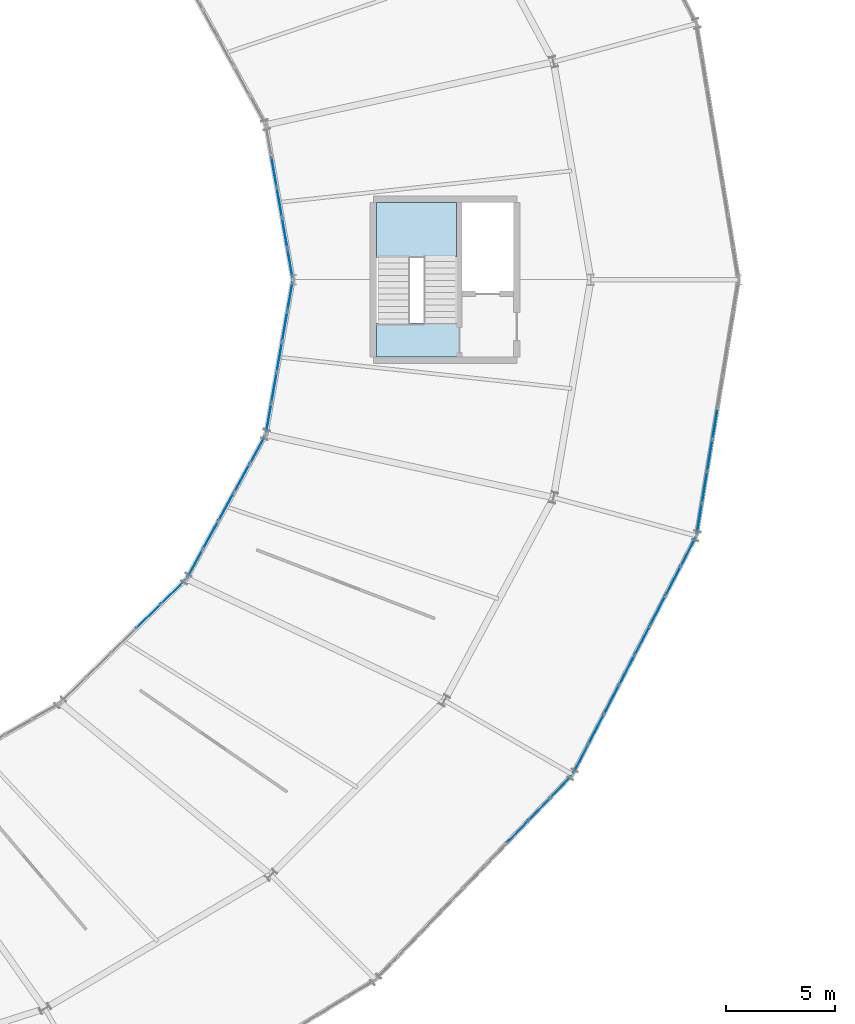
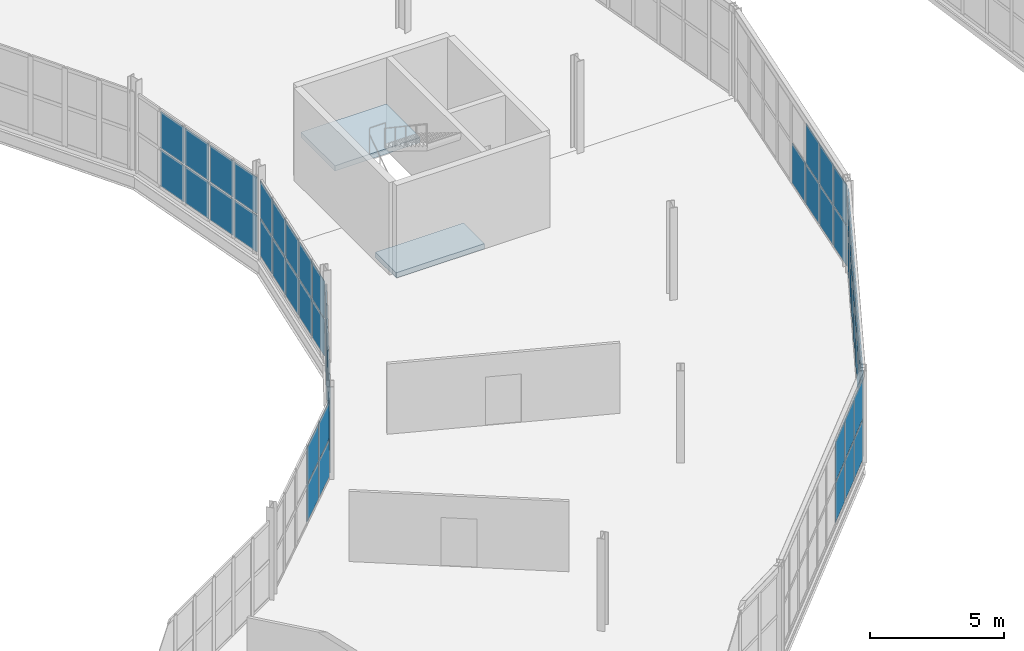
# One storey, part 121 of 161: 61 plates, 2 slabs, 8 elements without a shape of their own.
"""IFC4 building model written with IfcOpenShell, lengths in metres."""

import ifcopenshell
import ifcopenshell.guid

model = None  # the IFC model being written
_history = None  # IfcOwnerHistory: only IFC2X3 demands one
_inside = {}  # id of a spatial element -> (the spatial element, [elements in it])
_under = {}  # id of a project, library or spatial element -> (it, [spatial elements below it])
_declared = {}  # id of a project -> (the project, [libraries it declares])
_typed = {}  # id of a type object -> (the type object, [elements of that type])
_made_of = {}  # id of a material, layer set ... -> (it, [elements and type objects made of it])


def new_model(schema):
    """Start an empty IFC model of exactly this schema.

    Asked for "IFC4X3", IfcOpenShell would pick the latest addendum, in which some entities
    have other attributes; the version numbers below select the first issue.
    IFC2X3 requires an IfcOwnerHistory on every rooted entity: one is made here for all.
    """
    global model, _history
    if schema == "IFC4X3":
        model = ifcopenshell.file(schema_version=(4, 3, 0, 0))
    else:
        model = ifcopenshell.file(schema=schema)
    _inside.clear()
    _under.clear()
    _declared.clear()
    _typed.clear()
    _made_of.clear()
    _history = None
    if model.schema == "IFC2X3":
        org = make("IfcOrganization", Name="unknown")
        user = make(
            "IfcPersonAndOrganization",
            ThePerson=make("IfcPerson", FamilyName="unknown"),
            TheOrganization=org,
        )
        app = make(
            "IfcApplication",
            ApplicationDeveloper=org,
            Version="unknown",
            ApplicationFullName="unknown",
            ApplicationIdentifier="unknown",
        )
        _history = make(
            "IfcOwnerHistory",
            OwningUser=user,
            OwningApplication=app,
            ChangeAction="ADDED",
            CreationDate=0,
        )
    return model


def make(cls, **values):
    """One entity of the class cls with the attributes given. An attribute that is None is left unset."""
    return model.create_entity(
        cls, **{name: value for name, value in values.items() if value is not None}
    )


def rooted(cls, **values):
    """An entity with a GlobalId (a new one), such as an element, a storey or a relation."""
    return make(cls, GlobalId=ifcopenshell.guid.new(), OwnerHistory=_history, **values)


def si_unit(unit_type, name, prefix=None):
    """IfcSIUnit, for example si_unit("LENGTHUNIT", "METRE", prefix="MILLI")."""
    return make("IfcSIUnit", UnitType=unit_type, Prefix=prefix, Name=name)


def assignment(units):
    """IfcUnitAssignment: the units of a project."""
    return None if units is None else make("IfcUnitAssignment", Units=units)


def point(xyz):
    """IfcCartesianPoint."""
    return None if xyz is None else make("IfcCartesianPoint", Coordinates=xyz)


def direction(xyz):
    """IfcDirection."""
    return None if xyz is None else make("IfcDirection", DirectionRatios=xyz)


def frame(location, z_axis=None, x_axis=None):
    """IfcAxis2Placement3D, a coordinate frame: its origin and axes. An axis left out is left unset."""
    return make(
        "IfcAxis2Placement3D",
        Location=point(location),
        Axis=direction(z_axis),
        RefDirection=direction(x_axis),
    )


def frame_2d(location, x_axis=None):
    """IfcAxis2Placement2D, a coordinate frame in the plane: its origin and x axis."""
    return make(
        "IfcAxis2Placement2D", Location=point(location), RefDirection=direction(x_axis)
    )


def origin():
    """The frame at (0, 0, 0) with its axes left unset."""
    return frame((0.0, 0.0, 0.0))


def origin_2d():
    """The frame at (0, 0) in the plane with its x axis left unset."""
    return frame_2d((0.0, 0.0))


def place(relative_to, where):
    """IfcLocalPlacement: puts the frame where relative to a parent placement (None: the world)."""
    return make(
        "IfcLocalPlacement", PlacementRelTo=relative_to, RelativePlacement=where
    )


def context(
    kind, dimensions, precision=None, world=None, true_north=None, identifier=None
):
    """IfcGeometricRepresentationContext, for example the 3D "Model" context."""
    return make(
        "IfcGeometricRepresentationContext",
        ContextIdentifier=identifier,
        ContextType=kind,
        CoordinateSpaceDimension=dimensions,
        Precision=precision,
        WorldCoordinateSystem=world,
        TrueNorth=true_north,
    )


def subcontext(parent, identifier, kind, view, scale=None):
    """IfcGeometricRepresentationSubContext, for example "Body" below "Model"."""
    return make(
        "IfcGeometricRepresentationSubContext",
        ContextIdentifier=identifier,
        ContextType=kind,
        ParentContext=parent,
        TargetScale=scale,
        TargetView=view,
    )


def project(units=None, contexts=None):
    """IfcProject with its units and contexts."""
    return rooted(
        "IfcProject",
        Name="project",
        RepresentationContexts=contexts,
        UnitsInContext=assignment(units),
    )


def spatial(cls, under=None, at=None, **own):
    """A site, building, storey or space (cls), placed at a placement, below another one or the project."""
    s = rooted(cls, ObjectPlacement=at, **own)
    if under is not None:
        _under.setdefault(under.id(), (under, []))[1].append(s)
    return s


def polyline(points):
    """IfcPolyline through the points."""
    return make("IfcPolyline", Points=[point(p) for p in points])


def profile(cls, at=None, kind="AREA", **sizes):
    """A parametric profile (cls). Its sizes go by their IFC names, for example OverallWidth=200.0."""
    return make(cls, ProfileType=kind, Position=at, **sizes)


def rectangle(**sizes):
    """IfcRectangleProfileDef."""
    return profile("IfcRectangleProfileDef", **sizes)


def outline(outer, holes=None, kind="AREA"):
    """IfcArbitraryClosedProfileDef: a profile drawn as a closed curve; with holes, ...WithVoids."""
    if holes is None:
        return make("IfcArbitraryClosedProfileDef", ProfileType=kind, OuterCurve=outer)
    return make(
        "IfcArbitraryProfileDefWithVoids",
        ProfileType=kind,
        OuterCurve=outer,
        InnerCurves=holes,
    )


def extrude(swept, where, along, depth):
    """IfcExtrudedAreaSolid: the profile swept, set in the frame where, extruded along a direction by depth."""
    return make(
        "IfcExtrudedAreaSolid",
        SweptArea=swept,
        Position=where,
        ExtrudedDirection=direction(along),
        Depth=depth,
    )


def shape(context_of_items, identifier, shape_type, items):
    """IfcShapeRepresentation: the items that make up one representation, for example the "Body"."""
    return make(
        "IfcShapeRepresentation",
        ContextOfItems=context_of_items,
        RepresentationIdentifier=identifier,
        RepresentationType=shape_type,
        Items=items,
    )


def material(Name=None, Category=None):
    """IfcMaterial."""
    return make("IfcMaterial", Name=Name, Category=Category)


def layer(
    of_material, thickness, ventilated=None, Name=None, Category=None, Priority=None
):
    """IfcMaterialLayer: one layer of a wall or slab, of a material (None: an air gap)."""
    return make(
        "IfcMaterialLayer",
        Material=of_material,
        LayerThickness=thickness,
        IsVentilated=ventilated,
        Name=Name,
        Category=Category,
        Priority=Priority,
    )


def layer_set(layers, Name=None):
    """IfcMaterialLayerSet."""
    return make("IfcMaterialLayerSet", MaterialLayers=layers, LayerSetName=Name)


def made_of(thing, what):
    """Note that an element or type object is made of a material, layer set ...; save() writes the relation."""
    if what is not None:
        _made_of.setdefault(what.id(), (what, []))[1].append(thing)
    return thing


def type_object(cls, material=None, **own):
    """A type object (cls), such as IfcWallType, which elements share."""
    return made_of(rooted(cls, **own), material)


def element(
    cls,
    number,
    at=None,
    inside=None,
    cuts=None,
    type_object=None,
    material=None,
    context=None,
    identifier="Body",
    shape_type=None,
    held_by="IfcProductDefinitionShape",
    body=None,
    shapes=None,
    **own,
):
    """One element of the class cls, such as IfcWall. Its Tag is "e" and its number.

    at: its placement. inside: the storey or other place that contains it. cuts: it is an
    opening in that element (IfcRelVoidsElement). A single representation is given by context,
    identifier, shape_type and body (its items); several are given by shapes. held_by: the class
    of the entity that holds the representations. save() writes the other relations.
    """
    e = rooted(cls, Tag="e%d" % number, ObjectPlacement=at, **own)
    if body is not None:
        shapes = [shape(context, identifier, shape_type, body)]
    if shapes is not None:
        e.Representation = make(held_by, Representations=shapes)
    if inside is not None:
        _inside.setdefault(inside.id(), (inside, []))[1].append(e)
    if cuts is not None:
        rooted(
            "IfcRelVoidsElement", RelatingBuildingElement=cuts, RelatedOpeningElement=e
        )
    if type_object is not None:
        _typed.setdefault(type_object.id(), (type_object, []))[1].append(e)
    return made_of(e, material)


def aggregate(whole, parts):
    """IfcRelAggregates: a whole, such as a stair, and the parts it consists of."""
    return rooted("IfcRelAggregates", RelatingObject=whole, RelatedObjects=parts)


def save(model, path):
    """Write the relations noted so far, then the file.

    IfcRelAggregates (storeys below a building ...), IfcRelContainedInSpatialStructure (elements
    in a storey), IfcRelDefinesByType, IfcRelAssociatesMaterial and IfcRelDeclares: one each for
    every whole, place, type object, material and project.
    """
    for whole, parts in _under.values():
        aggregate(whole, parts)
    for where, things in _inside.values():
        rooted(
            "IfcRelContainedInSpatialStructure",
            RelatedElements=things,
            RelatingStructure=where,
        )
    for kind, things in _typed.values():
        rooted("IfcRelDefinesByType", RelatedObjects=things, RelatingType=kind)
    for what, things in _made_of.values():
        rooted("IfcRelAssociatesMaterial", RelatedObjects=things, RelatingMaterial=what)
    for by, libraries in _declared.values():
        rooted("IfcRelDeclares", RelatingContext=by, RelatedDefinitions=libraries)
    model.write(path)


model = new_model("IFC4")

# Units and contexts
model_context = context("Model", 3, precision=1e-05, world=origin(), true_north=direction((0.0, 1.0)))
body_context = subcontext(model_context, "Body", "Model", "MODEL_VIEW")
ifc_project = project(units=[si_unit("LENGTHUNIT", "METRE"), si_unit("AREAUNIT", "SQUARE_METRE"), si_unit("VOLUMEUNIT", "CUBIC_METRE"), si_unit("PLANEANGLEUNIT", "RADIAN"), si_unit("MASSUNIT", "GRAM", prefix="KILO")], contexts=[model_context])

# Site, building, storey
site_placement = place(None, origin())
site = spatial("IfcSite", under=ifc_project, at=site_placement, CompositionType="ELEMENT")
building_placement = place(site_placement, origin())
building = spatial("IfcBuilding", under=site, at=building_placement, Name="Kildeholm Park Wholesale Market", CompositionType="ELEMENT")
storey_placement = place(building_placement, frame((0.0, 0.0, 5.39990234375)))
storey = spatial("IfcBuildingStorey", under=building, at=storey_placement, Name="L01", CompositionType="ELEMENT", Elevation=5.39990234375)

# Curtain wall, plates
ifc_material_1 = material(Name="Anodised aluminium and low-E double-glazed glass", Category="aluminium")
curtain_wall_type = type_object("IfcCurtainWallType", Name="Market hall glazed arcade stick curtain wall CW-01", PredefinedType="NOTDEFINED", material=ifc_material_1)
curtain_wall_1_placement = place(storey_placement, origin())
curtain_wall_1 = element("IfcCurtainWall", 1, at=curtain_wall_1_placement, inside=storey, type_object=curtain_wall_type, Name="Curtain wall CW-V1-IN1-00 CW-0004", PredefinedType="NOTDEFINED")
ifc_material_2 = material(Name="Double-glazed low-E insulated glass", Category="glass")
ifc_layer_1 = layer(ifc_material_2, 0.028076171875)
ifc_layer_set_1 = layer_set([ifc_layer_1], Name="Double-glazed low-E insulated glass")
plate_type = type_object("IfcPlateType", Name="Curtain-wall panel CWP-1 28 mm", PredefinedType="CURTAIN_PANEL", material=ifc_layer_set_1)
plate_1_placement = place(storey_placement, frame((135.373779296875, 90.262451171875, 0.074951171875), z_axis=(0.0, 0.0, 1.0), x_axis=(-0.172132515628, 0.985073802851, 0.0)))
plate_1 = element("IfcPlate", 2, at=plate_1_placement, type_object=plate_type, Name="CW-01 panel 1.1 PLT-0212", PredefinedType="CURTAIN_PANEL", context=body_context, shape_type="SweptSolid", body=[
    extrude(rectangle(XDim=1.316650390625, YDim=0.028076171875, at=origin_2d()), origin(), (0.0, 0.0, 1.0), 1.66259765625),
])
plate_2_placement = place(storey_placement, frame((135.373779296875, 90.262451171875, 1.8125), z_axis=(0.0, 0.0, 1.0), x_axis=(-0.172132515628, 0.985073802851, 0.0)))
plate_2 = element("IfcPlate", 3, at=plate_2_placement, type_object=plate_type, Name="CW-01 panel 1.2 PLT-0213", PredefinedType="CURTAIN_PANEL", context=body_context, shape_type="SweptSolid", body=[
    extrude(rectangle(XDim=1.316650390625, YDim=0.028076171875, at=origin_2d()), origin(), (0.0, 0.0, 1.0), 1.66259765625),
])
plate_3_placement = place(storey_placement, frame((135.131103515625, 91.651611328125, 0.074951171875), z_axis=(0.0, 0.0, 1.0), x_axis=(-0.172132515628, 0.985073802851, 0.0)))
plate_3 = element("IfcPlate", 4, at=plate_3_placement, type_object=plate_type, Name="CW-01 panel 2.1 PLT-0214", PredefinedType="CURTAIN_PANEL", context=body_context, shape_type="SweptSolid", body=[
    extrude(rectangle(XDim=1.354248046875, YDim=0.028076171875, at=origin_2d()), origin(), (0.0, 0.0, 1.0), 1.66259765625),
])
plate_4_placement = place(storey_placement, frame((135.131103515625, 91.651611328125, 1.8125), z_axis=(0.0, 0.0, 1.0), x_axis=(-0.172132515628, 0.985073802851, 0.0)))
plate_4 = element("IfcPlate", 5, at=plate_4_placement, type_object=plate_type, Name="CW-01 panel 2.2 PLT-0215", PredefinedType="CURTAIN_PANEL", context=body_context, shape_type="SweptSolid", body=[
    extrude(rectangle(XDim=1.354248046875, YDim=0.028076171875, at=origin_2d()), origin(), (0.0, 0.0, 1.0), 1.66259765625),
])
plate_5_placement = place(storey_placement, frame((134.885009765625, 93.0595703125, 0.074951171875), z_axis=(0.0, 0.0, 1.0), x_axis=(-0.172132515628, 0.985073802851, 0.0)))
plate_5 = element("IfcPlate", 6, at=plate_5_placement, type_object=plate_type, Name="CW-01 panel 3.1 PLT-0216", PredefinedType="CURTAIN_PANEL", context=body_context, shape_type="SweptSolid", body=[
    extrude(rectangle(XDim=1.354248046875, YDim=0.028076171875, at=origin_2d()), origin(), (0.0, 0.0, 1.0), 1.66259765625),
])
plate_6_placement = place(storey_placement, frame((134.885009765625, 93.0595703125, 1.8125), z_axis=(0.0, 0.0, 1.0), x_axis=(-0.172132515628, 0.985073802851, 0.0)))
plate_6 = element("IfcPlate", 7, at=plate_6_placement, type_object=plate_type, Name="CW-01 panel 3.2 PLT-0217", PredefinedType="CURTAIN_PANEL", context=body_context, shape_type="SweptSolid", body=[
    extrude(rectangle(XDim=1.354248046875, YDim=0.028076171875, at=origin_2d()), origin(), (0.0, 0.0, 1.0), 1.66259765625),
])
plate_7_placement = place(storey_placement, frame((134.638916015625, 94.46728515625, 0.074951171875), z_axis=(0.0, 0.0, 1.0), x_axis=(-0.172132515628, 0.985073802851, 0.0)))
plate_7 = element("IfcPlate", 8, at=plate_7_placement, type_object=plate_type, Name="CW-01 panel 4.1 PLT-0218", PredefinedType="CURTAIN_PANEL", context=body_context, shape_type="SweptSolid", body=[
    extrude(rectangle(XDim=1.354248046875, YDim=0.028076171875, at=origin_2d()), origin(), (0.0, 0.0, 1.0), 1.66259765625),
])
plate_8_placement = place(storey_placement, frame((134.638916015625, 94.46728515625, 1.8125), z_axis=(0.0, 0.0, 1.0), x_axis=(-0.172132515628, 0.985073802851, 0.0)))
plate_8 = element("IfcPlate", 9, at=plate_8_placement, type_object=plate_type, Name="CW-01 panel 4.2 PLT-0219", PredefinedType="CURTAIN_PANEL", context=body_context, shape_type="SweptSolid", body=[
    extrude(rectangle(XDim=1.354248046875, YDim=0.028076171875, at=origin_2d()), origin(), (0.0, 0.0, 1.0), 1.66259765625),
])
aggregate(curtain_wall_1, [plate_1, plate_2, plate_3, plate_4, plate_5, plate_6, plate_7, plate_8])

curtain_wall_2_placement = place(storey_placement, origin())
curtain_wall_2 = element("IfcCurtainWall", 10, at=curtain_wall_2_placement, inside=storey, type_object=curtain_wall_type, Name="Curtain wall CW-V1-OT-21-1 CW-0104", PredefinedType="NOTDEFINED")
plate_9_placement = place(storey_placement, frame((145.83984375, 64.116455078125, 0.06494140625), z_axis=(0.0, 0.0, 1.0), x_axis=(0.69303795493, 0.720901097951, 0.0)))
plate_9 = element("IfcPlate", 11, at=plate_9_placement, type_object=plate_type, Name="CW-01 panel 7.1 PLT-1570", PredefinedType="CURTAIN_PANEL", context=body_context, shape_type="SweptSolid", body=[
    extrude(rectangle(XDim=1.378662109375, YDim=0.028076171875, at=origin_2d()), origin(), (0.0, 0.0, 1.0), 1.802490234375),
])
plate_10_placement = place(storey_placement, frame((145.83984375, 64.116455078125, 1.9326171875), z_axis=(0.0, 0.0, 1.0), x_axis=(0.69303795493, 0.720901097951, 0.0)))
plate_10 = element("IfcPlate", 12, at=plate_10_placement, type_object=plate_type, Name="CW-01 panel 7.2 PLT-1571", PredefinedType="CURTAIN_PANEL", context=body_context, shape_type="SweptSolid", body=[
    extrude(rectangle(XDim=1.378662109375, YDim=0.028076171875, at=origin_2d()), origin(), (0.0, 0.0, 1.0), 1.802490234375),
])
plate_11_placement = place(storey_placement, frame((146.84033203125, 65.156982421875, 0.06494140625), z_axis=(0.0, 0.0, 1.0), x_axis=(0.69303795493, 0.720901097951, 0.0)))
plate_11 = element("IfcPlate", 13, at=plate_11_placement, type_object=plate_type, Name="CW-01 panel 8.1 PLT-1572", PredefinedType="CURTAIN_PANEL", context=body_context, shape_type="SweptSolid", body=[
    extrude(rectangle(XDim=1.378662109375, YDim=0.028076171875, at=origin_2d()), origin(), (0.0, 0.0, 1.0), 1.802490234375),
])
plate_12_placement = place(storey_placement, frame((146.84033203125, 65.156982421875, 1.9326171875), z_axis=(0.0, 0.0, 1.0), x_axis=(0.69303795493, 0.720901097951, 0.0)))
plate_12 = element("IfcPlate", 14, at=plate_12_placement, type_object=plate_type, Name="CW-01 panel 8.2 PLT-1573", PredefinedType="CURTAIN_PANEL", context=body_context, shape_type="SweptSolid", body=[
    extrude(rectangle(XDim=1.378662109375, YDim=0.028076171875, at=origin_2d()), origin(), (0.0, 0.0, 1.0), 1.802490234375),
])
plate_13_placement = place(storey_placement, frame((147.82958984375, 66.18603515625, 0.06494140625), z_axis=(0.0, 0.0, 1.0), x_axis=(0.69303795493, 0.720901097951, 0.0)))
plate_13 = element("IfcPlate", 15, at=plate_13_placement, type_object=plate_type, Name="CW-01 panel 9.1 PLT-1574", PredefinedType="CURTAIN_PANEL", context=body_context, shape_type="SweptSolid", body=[
    extrude(rectangle(XDim=1.345947265625, YDim=0.028076171875, at=origin_2d()), origin(), (0.0, 0.0, 1.0), 1.802490234375),
])
plate_14_placement = place(storey_placement, frame((147.82958984375, 66.18603515625, 1.9326171875), z_axis=(0.0, 0.0, 1.0), x_axis=(0.69303795493, 0.720901097951, 0.0)))
plate_14 = element("IfcPlate", 16, at=plate_14_placement, type_object=plate_type, Name="CW-01 panel 9.2 PLT-1575", PredefinedType="CURTAIN_PANEL", context=body_context, shape_type="SweptSolid", body=[
    extrude(rectangle(XDim=1.345947265625, YDim=0.028076171875, at=origin_2d()), origin(), (0.0, 0.0, 1.0), 1.802490234375),
])
aggregate(curtain_wall_2, [plate_9, plate_10, plate_11, plate_12, plate_13, plate_14])

curtain_wall_3_placement = place(storey_placement, origin())
curtain_wall_3 = element("IfcCurtainWall", 17, at=curtain_wall_3_placement, inside=storey, type_object=curtain_wall_type, Name="Curtain wall CW-V1-IN1-21 CW-0107", PredefinedType="NOTDEFINED")
plate_15_placement = place(storey_placement, frame((128.863037109375, 74.02734375, 0.074951171875), z_axis=(0.0, 0.0, 1.0), x_axis=(0.713537995789, 0.700616534607, 0.0)))
plate_15 = element("IfcPlate", 18, at=plate_15_placement, type_object=plate_type, Name="CW-01 panel 4.1 PLT-1606", PredefinedType="CURTAIN_PANEL", context=body_context, shape_type="SweptSolid", body=[
    extrude(rectangle(XDim=1.53466796875, YDim=0.028076171875, at=origin_2d()), origin(), (0.0, 0.0, 1.0), 1.66259765625),
])
plate_16_placement = place(storey_placement, frame((128.863037109375, 74.02734375, 1.8125), z_axis=(0.0, 0.0, 1.0), x_axis=(0.713537995789, 0.700616534607, 0.0)))
plate_16 = element("IfcPlate", 19, at=plate_16_placement, type_object=plate_type, Name="CW-01 panel 4.2 PLT-1607", PredefinedType="CURTAIN_PANEL", context=body_context, shape_type="SweptSolid", body=[
    extrude(rectangle(XDim=1.53466796875, YDim=0.028076171875, at=origin_2d()), origin(), (0.0, 0.0, 1.0), 1.66259765625),
])
plate_17_placement = place(storey_placement, frame((129.998291015625, 75.141845703125, 0.074951171875), z_axis=(0.0, 0.0, 1.0), x_axis=(0.713537995789, 0.700616534607, 0.0)))
plate_17 = element("IfcPlate", 20, at=plate_17_placement, type_object=plate_type, Name="CW-01 panel 5.1 PLT-1608", PredefinedType="CURTAIN_PANEL", context=body_context, shape_type="SweptSolid", body=[
    extrude(rectangle(XDim=1.497314453125, YDim=0.028076171875, at=origin_2d()), origin(), (0.0, 0.0, 1.0), 1.66259765625),
])
plate_18_placement = place(storey_placement, frame((129.998291015625, 75.141845703125, 1.8125), z_axis=(0.0, 0.0, 1.0), x_axis=(0.713537995789, 0.700616534607, 0.0)))
plate_18 = element("IfcPlate", 21, at=plate_18_placement, type_object=plate_type, Name="CW-01 panel 5.2 PLT-1609", PredefinedType="CURTAIN_PANEL", context=body_context, shape_type="SweptSolid", body=[
    extrude(rectangle(XDim=1.497314453125, YDim=0.028076171875, at=origin_2d()), origin(), (0.0, 0.0, 1.0), 1.66259765625),
])
aggregate(curtain_wall_3, [plate_15, plate_16, plate_17, plate_18])

curtain_wall_4_placement = place(storey_placement, origin())
curtain_wall_4 = element("IfcCurtainWall", 22, at=curtain_wall_4_placement, inside=storey, type_object=curtain_wall_type, Name="Curtain wall CW-V1-OT-22-1 CW-0109", PredefinedType="NOTDEFINED")
plate_19_placement = place(storey_placement, frame((148.7490234375, 67.47900390625, 0.06494140625), z_axis=(0.0, 0.0, 1.0), x_axis=(0.460514375909, 0.88765224586, 0.0)))
plate_19 = element("IfcPlate", 23, at=plate_19_placement, type_object=plate_type, Name="CW-01 panel 1.1 PLT-1620", PredefinedType="CURTAIN_PANEL", context=body_context, shape_type="SweptSolid", body=[
    extrude(rectangle(XDim=1.43798828125, YDim=0.028076171875, at=origin_2d()), origin(), (0.0, 0.0, 1.0), 1.802490234375),
])
plate_20_placement = place(storey_placement, frame((148.7490234375, 67.47900390625, 1.9326171875), z_axis=(0.0, 0.0, 1.0), x_axis=(0.460514375909, 0.88765224586, 0.0)))
plate_20 = element("IfcPlate", 24, at=plate_20_placement, type_object=plate_type, Name="CW-01 panel 1.2 PLT-1621", PredefinedType="CURTAIN_PANEL", context=body_context, shape_type="SweptSolid", body=[
    extrude(rectangle(XDim=1.43798828125, YDim=0.028076171875, at=origin_2d()), origin(), (0.0, 0.0, 1.0), 1.802490234375),
])
plate_21_placement = place(storey_placement, frame((149.44873046875, 68.827392578125, 0.06494140625), z_axis=(0.0, 0.0, 1.0), x_axis=(0.460514375909, 0.88765224586, 0.0)))
plate_21 = element("IfcPlate", 25, at=plate_21_placement, type_object=plate_type, Name="CW-01 panel 2.1 PLT-1622", PredefinedType="CURTAIN_PANEL", context=body_context, shape_type="SweptSolid", body=[
    extrude(rectangle(XDim=1.470458984375, YDim=0.028076171875, at=origin_2d()), origin(), (0.0, 0.0, 1.0), 1.802490234375),
])
plate_22_placement = place(storey_placement, frame((149.44873046875, 68.827392578125, 1.9326171875), z_axis=(0.0, 0.0, 1.0), x_axis=(0.460514375909, 0.88765224586, 0.0)))
plate_22 = element("IfcPlate", 26, at=plate_22_placement, type_object=plate_type, Name="CW-01 panel 2.2 PLT-1623", PredefinedType="CURTAIN_PANEL", context=body_context, shape_type="SweptSolid", body=[
    extrude(rectangle(XDim=1.470458984375, YDim=0.028076171875, at=origin_2d()), origin(), (0.0, 0.0, 1.0), 1.802490234375),
])
plate_23_placement = place(storey_placement, frame((150.15576171875, 70.1904296875, 0.06494140625), z_axis=(0.0, 0.0, 1.0), x_axis=(0.460514375909, 0.88765224586, 0.0)))
plate_23 = element("IfcPlate", 27, at=plate_23_placement, type_object=plate_type, Name="CW-01 panel 3.1 PLT-1624", PredefinedType="CURTAIN_PANEL", context=body_context, shape_type="SweptSolid", body=[
    extrude(rectangle(XDim=1.470458984375, YDim=0.028076171875, at=origin_2d()), origin(), (0.0, 0.0, 1.0), 1.802490234375),
])
plate_24_placement = place(storey_placement, frame((150.15576171875, 70.1904296875, 1.9326171875), z_axis=(0.0, 0.0, 1.0), x_axis=(0.460514375909, 0.88765224586, 0.0)))
plate_24 = element("IfcPlate", 28, at=plate_24_placement, type_object=plate_type, Name="CW-01 panel 3.2 PLT-1625", PredefinedType="CURTAIN_PANEL", context=body_context, shape_type="SweptSolid", body=[
    extrude(rectangle(XDim=1.470458984375, YDim=0.028076171875, at=origin_2d()), origin(), (0.0, 0.0, 1.0), 1.802490234375),
])
plate_25_placement = place(storey_placement, frame((150.863037109375, 71.553466796875, 0.06494140625), z_axis=(0.0, 0.0, 1.0), x_axis=(0.460514375909, 0.88765224586, 0.0)))
plate_25 = element("IfcPlate", 29, at=plate_25_placement, type_object=plate_type, Name="CW-01 panel 4.1 PLT-1626", PredefinedType="CURTAIN_PANEL", context=body_context, shape_type="SweptSolid", body=[
    extrude(rectangle(XDim=1.470458984375, YDim=0.028076171875, at=origin_2d()), origin(), (0.0, 0.0, 1.0), 1.802490234375),
])
plate_26_placement = place(storey_placement, frame((150.863037109375, 71.553466796875, 1.9326171875), z_axis=(0.0, 0.0, 1.0), x_axis=(0.460514375909, 0.88765224586, 0.0)))
plate_26 = element("IfcPlate", 30, at=plate_26_placement, type_object=plate_type, Name="CW-01 panel 4.2 PLT-1627", PredefinedType="CURTAIN_PANEL", context=body_context, shape_type="SweptSolid", body=[
    extrude(rectangle(XDim=1.470458984375, YDim=0.028076171875, at=origin_2d()), origin(), (0.0, 0.0, 1.0), 1.802490234375),
])
plate_27_placement = place(storey_placement, frame((151.570068359375, 72.91650390625, 0.06494140625), z_axis=(0.0, 0.0, 1.0), x_axis=(0.460514375909, 0.88765224586, 0.0)))
plate_27 = element("IfcPlate", 31, at=plate_27_placement, type_object=plate_type, Name="CW-01 panel 5.1 PLT-1628", PredefinedType="CURTAIN_PANEL", context=body_context, shape_type="SweptSolid", body=[
    extrude(rectangle(XDim=1.470458984375, YDim=0.028076171875, at=origin_2d()), origin(), (0.0, 0.0, 1.0), 1.802490234375),
])
plate_28_placement = place(storey_placement, frame((151.570068359375, 72.91650390625, 1.9326171875), z_axis=(0.0, 0.0, 1.0), x_axis=(0.460514375909, 0.88765224586, 0.0)))
plate_28 = element("IfcPlate", 32, at=plate_28_placement, type_object=plate_type, Name="CW-01 panel 5.2 PLT-1629", PredefinedType="CURTAIN_PANEL", context=body_context, shape_type="SweptSolid", body=[
    extrude(rectangle(XDim=1.470458984375, YDim=0.028076171875, at=origin_2d()), origin(), (0.0, 0.0, 1.0), 1.802490234375),
])
plate_29_placement = place(storey_placement, frame((152.277099609375, 74.279541015625, 0.06494140625), z_axis=(0.0, 0.0, 1.0), x_axis=(0.460514375909, 0.88765224586, 0.0)))
plate_29 = element("IfcPlate", 33, at=plate_29_placement, type_object=plate_type, Name="CW-01 panel 6.1 PLT-1630", PredefinedType="CURTAIN_PANEL", context=body_context, shape_type="SweptSolid", body=[
    extrude(rectangle(XDim=1.470458984375, YDim=0.028076171875, at=origin_2d()), origin(), (0.0, 0.0, 1.0), 1.802490234375),
])
plate_30_placement = place(storey_placement, frame((152.277099609375, 74.279541015625, 1.9326171875), z_axis=(0.0, 0.0, 1.0), x_axis=(0.460514375909, 0.88765224586, 0.0)))
plate_30 = element("IfcPlate", 34, at=plate_30_placement, type_object=plate_type, Name="CW-01 panel 6.2 PLT-1631", PredefinedType="CURTAIN_PANEL", context=body_context, shape_type="SweptSolid", body=[
    extrude(rectangle(XDim=1.470458984375, YDim=0.028076171875, at=origin_2d()), origin(), (0.0, 0.0, 1.0), 1.802490234375),
])
plate_31_placement = place(storey_placement, frame((152.984375, 75.642578125, 0.06494140625), z_axis=(0.0, 0.0, 1.0), x_axis=(0.460514375909, 0.88765224586, 0.0)))
plate_31 = element("IfcPlate", 35, at=plate_31_placement, type_object=plate_type, Name="CW-01 panel 7.1 PLT-1632", PredefinedType="CURTAIN_PANEL", context=body_context, shape_type="SweptSolid", body=[
    extrude(rectangle(XDim=1.470458984375, YDim=0.028076171875, at=origin_2d()), origin(), (0.0, 0.0, 1.0), 1.802490234375),
])
plate_32_placement = place(storey_placement, frame((152.984375, 75.642578125, 1.9326171875), z_axis=(0.0, 0.0, 1.0), x_axis=(0.460514375909, 0.88765224586, 0.0)))
plate_32 = element("IfcPlate", 36, at=plate_32_placement, type_object=plate_type, Name="CW-01 panel 7.2 PLT-1633", PredefinedType="CURTAIN_PANEL", context=body_context, shape_type="SweptSolid", body=[
    extrude(rectangle(XDim=1.470458984375, YDim=0.028076171875, at=origin_2d()), origin(), (0.0, 0.0, 1.0), 1.802490234375),
])
plate_33_placement = place(storey_placement, frame((153.683837890625, 76.990966796875, 0.06494140625), z_axis=(0.0, 0.0, 1.0), x_axis=(0.460514375909, 0.88765224586, 0.0)))
plate_33 = element("IfcPlate", 37, at=plate_33_placement, type_object=plate_type, Name="CW-01 panel 8.1 PLT-1634", PredefinedType="CURTAIN_PANEL", context=body_context, shape_type="SweptSolid", body=[
    extrude(rectangle(XDim=1.43798828125, YDim=0.028076171875, at=origin_2d()), origin(), (0.0, 0.0, 1.0), 1.802490234375),
])
plate_34_placement = place(storey_placement, frame((153.683837890625, 76.990966796875, 1.9326171875), z_axis=(0.0, 0.0, 1.0), x_axis=(0.460514375909, 0.88765224586, 0.0)))
plate_34 = element("IfcPlate", 38, at=plate_34_placement, type_object=plate_type, Name="CW-01 panel 8.2 PLT-1635", PredefinedType="CURTAIN_PANEL", context=body_context, shape_type="SweptSolid", body=[
    extrude(rectangle(XDim=1.43798828125, YDim=0.028076171875, at=origin_2d()), origin(), (0.0, 0.0, 1.0), 1.802490234375),
])
aggregate(curtain_wall_4, [plate_19, plate_20, plate_21, plate_22, plate_23, plate_24, plate_25, plate_26, plate_27, plate_28, plate_29, plate_30, plate_31, plate_32, plate_33, plate_34])

curtain_wall_5_placement = place(storey_placement, origin())
curtain_wall_5 = element("IfcCurtainWall", 39, at=curtain_wall_5_placement, inside=storey, type_object=curtain_wall_type, Name="Curtain wall CW-V1-IN1-22 CW-0112", PredefinedType="NOTDEFINED")
plate_35_placement = place(storey_placement, frame((131.0048828125, 76.455810546875, 0.074951171875), z_axis=(0.0, 0.0, 1.0), x_axis=(0.481749595055, 0.876308922506, 0.0)))
plate_35 = element("IfcPlate", 40, at=plate_35_placement, type_object=plate_type, Name="CW-01 panel 1.1 PLT-1660", PredefinedType="CURTAIN_PANEL", context=body_context, shape_type="SweptSolid", body=[
    extrude(rectangle(XDim=1.38525390625, YDim=0.028076171875, at=origin_2d()), origin(), (0.0, 0.0, 1.0), 1.66259765625),
])
plate_36_placement = place(storey_placement, frame((131.0048828125, 76.455810546875, 1.8125), z_axis=(0.0, 0.0, 1.0), x_axis=(0.481749595055, 0.876308922506, 0.0)))
plate_36 = element("IfcPlate", 41, at=plate_36_placement, type_object=plate_type, Name="CW-01 panel 1.2 PLT-1661", PredefinedType="CURTAIN_PANEL", context=body_context, shape_type="SweptSolid", body=[
    extrude(rectangle(XDim=1.38525390625, YDim=0.028076171875, at=origin_2d()), origin(), (0.0, 0.0, 1.0), 1.66259765625),
])
plate_37_placement = place(storey_placement, frame((131.71728515625, 77.751953125, 0.074951171875), z_axis=(0.0, 0.0, 1.0), x_axis=(0.481749595055, 0.876308922506, 0.0)))
plate_37 = element("IfcPlate", 42, at=plate_37_placement, type_object=plate_type, Name="CW-01 panel 2.1 PLT-1662", PredefinedType="CURTAIN_PANEL", context=body_context, shape_type="SweptSolid", body=[
    extrude(rectangle(XDim=1.4228515625, YDim=0.028076171875, at=origin_2d()), origin(), (0.0, 0.0, 1.0), 1.66259765625),
])
plate_38_placement = place(storey_placement, frame((131.71728515625, 77.751953125, 1.8125), z_axis=(0.0, 0.0, 1.0), x_axis=(0.481749595055, 0.876308922506, 0.0)))
plate_38 = element("IfcPlate", 43, at=plate_38_placement, type_object=plate_type, Name="CW-01 panel 2.2 PLT-1663", PredefinedType="CURTAIN_PANEL", context=body_context, shape_type="SweptSolid", body=[
    extrude(rectangle(XDim=1.4228515625, YDim=0.028076171875, at=origin_2d()), origin(), (0.0, 0.0, 1.0), 1.66259765625),
])
plate_39_placement = place(storey_placement, frame((132.43896484375, 79.064453125, 0.074951171875), z_axis=(0.0, 0.0, 1.0), x_axis=(0.481749595055, 0.876308922506, 0.0)))
plate_39 = element("IfcPlate", 44, at=plate_39_placement, type_object=plate_type, Name="CW-01 panel 3.1 PLT-1664", PredefinedType="CURTAIN_PANEL", context=body_context, shape_type="SweptSolid", body=[
    extrude(rectangle(XDim=1.4228515625, YDim=0.028076171875, at=origin_2d()), origin(), (0.0, 0.0, 1.0), 1.66259765625),
])
plate_40_placement = place(storey_placement, frame((132.43896484375, 79.064453125, 1.8125), z_axis=(0.0, 0.0, 1.0), x_axis=(0.481749595055, 0.876308922506, 0.0)))
plate_40 = element("IfcPlate", 45, at=plate_40_placement, type_object=plate_type, Name="CW-01 panel 3.2 PLT-1665", PredefinedType="CURTAIN_PANEL", context=body_context, shape_type="SweptSolid", body=[
    extrude(rectangle(XDim=1.4228515625, YDim=0.028076171875, at=origin_2d()), origin(), (0.0, 0.0, 1.0), 1.66259765625),
])
plate_41_placement = place(storey_placement, frame((133.16064453125, 80.377197265625, 0.074951171875), z_axis=(0.0, 0.0, 1.0), x_axis=(0.481749595055, 0.876308922506, 0.0)))
plate_41 = element("IfcPlate", 46, at=plate_41_placement, type_object=plate_type, Name="CW-01 panel 4.1 PLT-1666", PredefinedType="CURTAIN_PANEL", context=body_context, shape_type="SweptSolid", body=[
    extrude(rectangle(XDim=1.4228515625, YDim=0.028076171875, at=origin_2d()), origin(), (0.0, 0.0, 1.0), 1.66259765625),
])
plate_42_placement = place(storey_placement, frame((133.16064453125, 80.377197265625, 1.8125), z_axis=(0.0, 0.0, 1.0), x_axis=(0.481749595055, 0.876308922506, 0.0)))
plate_42 = element("IfcPlate", 47, at=plate_42_placement, type_object=plate_type, Name="CW-01 panel 4.2 PLT-1667", PredefinedType="CURTAIN_PANEL", context=body_context, shape_type="SweptSolid", body=[
    extrude(rectangle(XDim=1.4228515625, YDim=0.028076171875, at=origin_2d()), origin(), (0.0, 0.0, 1.0), 1.66259765625),
])
plate_43_placement = place(storey_placement, frame((133.873046875, 81.67333984375, 0.074951171875), z_axis=(0.0, 0.0, 1.0), x_axis=(0.481749595055, 0.876308922506, 0.0)))
plate_43 = element("IfcPlate", 48, at=plate_43_placement, type_object=plate_type, Name="CW-01 panel 5.1 PLT-1668", PredefinedType="CURTAIN_PANEL", context=body_context, shape_type="SweptSolid", body=[
    extrude(rectangle(XDim=1.38525390625, YDim=0.028076171875, at=origin_2d()), origin(), (0.0, 0.0, 1.0), 1.66259765625),
])
plate_44_placement = place(storey_placement, frame((133.873046875, 81.67333984375, 1.8125), z_axis=(0.0, 0.0, 1.0), x_axis=(0.481749595055, 0.876308922506, 0.0)))
plate_44 = element("IfcPlate", 49, at=plate_44_placement, type_object=plate_type, Name="CW-01 panel 5.2 PLT-1669", PredefinedType="CURTAIN_PANEL", context=body_context, shape_type="SweptSolid", body=[
    extrude(rectangle(XDim=1.38525390625, YDim=0.028076171875, at=origin_2d()), origin(), (0.0, 0.0, 1.0), 1.66259765625),
])
aggregate(curtain_wall_5, [plate_35, plate_36, plate_37, plate_38, plate_39, plate_40, plate_41, plate_42, plate_43, plate_44])

curtain_wall_6_placement = place(storey_placement, origin())
curtain_wall_6 = element("IfcCurtainWall", 50, at=curtain_wall_6_placement, inside=storey, type_object=curtain_wall_type, Name="Curtain wall CW-V1-OT-23-1 CW-0114", PredefinedType="NOTDEFINED")
plate_45_placement = place(storey_placement, frame((154.194091796875, 78.50927734375, 0.06494140625), z_axis=(0.0, 0.0, 1.0), x_axis=(0.162702713317, 0.98667513756, 0.0)))
plate_45 = element("IfcPlate", 51, at=plate_45_placement, type_object=plate_type, Name="CW-01 panel 1.1 PLT-1680", PredefinedType="CURTAIN_PANEL", context=body_context, shape_type="SweptSolid", body=[
    extrude(rectangle(XDim=1.384521484375, YDim=0.028076171875, at=origin_2d()), origin(), (0.0, 0.0, 1.0), 1.802490234375),
])
plate_46_placement = place(storey_placement, frame((154.194091796875, 78.50927734375, 1.9326171875), z_axis=(0.0, 0.0, 1.0), x_axis=(0.162702713317, 0.98667513756, 0.0)))
plate_46 = element("IfcPlate", 52, at=plate_46_placement, type_object=plate_type, Name="CW-01 panel 1.2 PLT-1681", PredefinedType="CURTAIN_PANEL", context=body_context, shape_type="SweptSolid", body=[
    extrude(rectangle(XDim=1.384521484375, YDim=0.028076171875, at=origin_2d()), origin(), (0.0, 0.0, 1.0), 1.802490234375),
])
plate_47_placement = place(storey_placement, frame((154.4326171875, 79.955322265625, 0.06494140625), z_axis=(0.0, 0.0, 1.0), x_axis=(0.162702713317, 0.98667513756, 0.0)))
plate_47 = element("IfcPlate", 53, at=plate_47_placement, type_object=plate_type, Name="CW-01 panel 2.1 PLT-1682", PredefinedType="CURTAIN_PANEL", context=body_context, shape_type="SweptSolid", body=[
    extrude(rectangle(XDim=1.4169921875, YDim=0.028076171875, at=origin_2d()), origin(), (0.0, 0.0, 1.0), 1.802490234375),
])
plate_48_placement = place(storey_placement, frame((154.4326171875, 79.955322265625, 1.9326171875), z_axis=(0.0, 0.0, 1.0), x_axis=(0.162702713317, 0.98667513756, 0.0)))
plate_48 = element("IfcPlate", 54, at=plate_48_placement, type_object=plate_type, Name="CW-01 panel 2.2 PLT-1683", PredefinedType="CURTAIN_PANEL", context=body_context, shape_type="SweptSolid", body=[
    extrude(rectangle(XDim=1.4169921875, YDim=0.028076171875, at=origin_2d()), origin(), (0.0, 0.0, 1.0), 1.802490234375),
])
plate_49_placement = place(storey_placement, frame((154.673828125, 81.417724609375, 0.06494140625), z_axis=(0.0, 0.0, 1.0), x_axis=(0.162702713317, 0.98667513756, 0.0)))
plate_49 = element("IfcPlate", 55, at=plate_49_placement, type_object=plate_type, Name="CW-01 panel 3.1 PLT-1684", PredefinedType="CURTAIN_PANEL", context=body_context, shape_type="SweptSolid", body=[
    extrude(rectangle(XDim=1.4169921875, YDim=0.028076171875, at=origin_2d()), origin(), (0.0, 0.0, 1.0), 1.802490234375),
])
plate_50_placement = place(storey_placement, frame((154.673828125, 81.417724609375, 1.9326171875), z_axis=(0.0, 0.0, 1.0), x_axis=(0.162702713317, 0.98667513756, 0.0)))
plate_50 = element("IfcPlate", 56, at=plate_50_placement, type_object=plate_type, Name="CW-01 panel 3.2 PLT-1685", PredefinedType="CURTAIN_PANEL", context=body_context, shape_type="SweptSolid", body=[
    extrude(rectangle(XDim=1.4169921875, YDim=0.028076171875, at=origin_2d()), origin(), (0.0, 0.0, 1.0), 1.802490234375),
])
plate_51_placement = place(storey_placement, frame((154.9150390625, 82.8798828125, 0.06494140625), z_axis=(0.0, 0.0, 1.0), x_axis=(0.162702713317, 0.98667513756, 0.0)))
plate_51 = element("IfcPlate", 57, at=plate_51_placement, type_object=plate_type, Name="CW-01 panel 4.1 PLT-1686", PredefinedType="CURTAIN_PANEL", context=body_context, shape_type="SweptSolid", body=[
    extrude(rectangle(XDim=1.4169921875, YDim=0.028076171875, at=origin_2d()), origin(), (0.0, 0.0, 1.0), 1.802490234375),
])
aggregate(curtain_wall_6, [plate_45, plate_46, plate_47, plate_48, plate_49, plate_50, plate_51])

curtain_wall_7_placement = place(storey_placement, origin())
curtain_wall_7 = element("IfcCurtainWall", 58, at=curtain_wall_7_placement, inside=storey, type_object=curtain_wall_type, Name="Curtain wall CW-V1-IN1-23 CW-0117", PredefinedType="NOTDEFINED")
plate_52_placement = place(storey_placement, frame((134.396240234375, 83.143310546875, 0.074951171875), z_axis=(0.0, 0.0, 1.0), x_axis=(0.172132515628, 0.985073802851, 0.0)))
plate_52 = element("IfcPlate", 59, at=plate_52_placement, type_object=plate_type, Name="CW-01 panel 1.1 PLT-1720", PredefinedType="CURTAIN_PANEL", context=body_context, shape_type="SweptSolid", body=[
    extrude(rectangle(XDim=1.316650390625, YDim=0.028076171875, at=origin_2d()), origin(), (0.0, 0.0, 1.0), 1.66259765625),
])
plate_53_placement = place(storey_placement, frame((134.396240234375, 83.143310546875, 1.8125), z_axis=(0.0, 0.0, 1.0), x_axis=(0.172132515628, 0.985073802851, 0.0)))
plate_53 = element("IfcPlate", 60, at=plate_53_placement, type_object=plate_type, Name="CW-01 panel 1.2 PLT-1721", PredefinedType="CURTAIN_PANEL", context=body_context, shape_type="SweptSolid", body=[
    extrude(rectangle(XDim=1.316650390625, YDim=0.028076171875, at=origin_2d()), origin(), (0.0, 0.0, 1.0), 1.66259765625),
])
plate_54_placement = place(storey_placement, frame((134.638916015625, 84.53271484375, 0.074951171875), z_axis=(0.0, 0.0, 1.0), x_axis=(0.172132515628, 0.985073802851, 0.0)))
plate_54 = element("IfcPlate", 61, at=plate_54_placement, type_object=plate_type, Name="CW-01 panel 2.1 PLT-1722", PredefinedType="CURTAIN_PANEL", context=body_context, shape_type="SweptSolid", body=[
    extrude(rectangle(XDim=1.354248046875, YDim=0.028076171875, at=origin_2d()), origin(), (0.0, 0.0, 1.0), 1.66259765625),
])
plate_55_placement = place(storey_placement, frame((134.638916015625, 84.53271484375, 1.8125), z_axis=(0.0, 0.0, 1.0), x_axis=(0.172132515628, 0.985073802851, 0.0)))
plate_55 = element("IfcPlate", 62, at=plate_55_placement, type_object=plate_type, Name="CW-01 panel 2.2 PLT-1723", PredefinedType="CURTAIN_PANEL", context=body_context, shape_type="SweptSolid", body=[
    extrude(rectangle(XDim=1.354248046875, YDim=0.028076171875, at=origin_2d()), origin(), (0.0, 0.0, 1.0), 1.66259765625),
])
plate_56_placement = place(storey_placement, frame((134.885009765625, 85.9404296875, 0.074951171875), z_axis=(0.0, 0.0, 1.0), x_axis=(0.172132515628, 0.985073802851, 0.0)))
plate_56 = element("IfcPlate", 63, at=plate_56_placement, type_object=plate_type, Name="CW-01 panel 3.1 PLT-1724", PredefinedType="CURTAIN_PANEL", context=body_context, shape_type="SweptSolid", body=[
    extrude(rectangle(XDim=1.354248046875, YDim=0.028076171875, at=origin_2d()), origin(), (0.0, 0.0, 1.0), 1.66259765625),
])
plate_57_placement = place(storey_placement, frame((134.885009765625, 85.9404296875, 1.8125), z_axis=(0.0, 0.0, 1.0), x_axis=(0.172132515628, 0.985073802851, 0.0)))
plate_57 = element("IfcPlate", 64, at=plate_57_placement, type_object=plate_type, Name="CW-01 panel 3.2 PLT-1725", PredefinedType="CURTAIN_PANEL", context=body_context, shape_type="SweptSolid", body=[
    extrude(rectangle(XDim=1.354248046875, YDim=0.028076171875, at=origin_2d()), origin(), (0.0, 0.0, 1.0), 1.66259765625),
])
plate_58_placement = place(storey_placement, frame((135.131103515625, 87.348388671875, 0.074951171875), z_axis=(0.0, 0.0, 1.0), x_axis=(0.172132515628, 0.985073802851, 0.0)))
plate_58 = element("IfcPlate", 65, at=plate_58_placement, type_object=plate_type, Name="CW-01 panel 4.1 PLT-1726", PredefinedType="CURTAIN_PANEL", context=body_context, shape_type="SweptSolid", body=[
    extrude(rectangle(XDim=1.354248046875, YDim=0.028076171875, at=origin_2d()), origin(), (0.0, 0.0, 1.0), 1.66259765625),
])
plate_59_placement = place(storey_placement, frame((135.131103515625, 87.348388671875, 1.8125), z_axis=(0.0, 0.0, 1.0), x_axis=(0.172132515628, 0.985073802851, 0.0)))
plate_59 = element("IfcPlate", 66, at=plate_59_placement, type_object=plate_type, Name="CW-01 panel 4.2 PLT-1727", PredefinedType="CURTAIN_PANEL", context=body_context, shape_type="SweptSolid", body=[
    extrude(rectangle(XDim=1.354248046875, YDim=0.028076171875, at=origin_2d()), origin(), (0.0, 0.0, 1.0), 1.66259765625),
])
plate_60_placement = place(storey_placement, frame((135.373779296875, 88.737548828125, 0.074951171875), z_axis=(0.0, 0.0, 1.0), x_axis=(0.172132515628, 0.985073802851, 0.0)))
plate_60 = element("IfcPlate", 67, at=plate_60_placement, type_object=plate_type, Name="CW-01 panel 5.1 PLT-1728", PredefinedType="CURTAIN_PANEL", context=body_context, shape_type="SweptSolid", body=[
    extrude(rectangle(XDim=1.316650390625, YDim=0.028076171875, at=origin_2d()), origin(), (0.0, 0.0, 1.0), 1.66259765625),
])
plate_61_placement = place(storey_placement, frame((135.373779296875, 88.737548828125, 1.8125), z_axis=(0.0, 0.0, 1.0), x_axis=(0.172132515628, 0.985073802851, 0.0)))
plate_61 = element("IfcPlate", 68, at=plate_61_placement, type_object=plate_type, Name="CW-01 panel 5.2 PLT-1729", PredefinedType="CURTAIN_PANEL", context=body_context, shape_type="SweptSolid", body=[
    extrude(rectangle(XDim=1.316650390625, YDim=0.028076171875, at=origin_2d()), origin(), (0.0, 0.0, 1.0), 1.66259765625),
])
aggregate(curtain_wall_7, [plate_52, plate_53, plate_54, plate_55, plate_56, plate_57, plate_58, plate_59, plate_60, plate_61])

# Slab
ifc_material_3 = material(Name="Concrete C35/45", Category="concrete")
ifc_layer_2 = layer(ifc_material_3, 0.239990234375)
ifc_layer_set_2 = layer_set([ifc_layer_2], Name="Concrete C35/45")
slab_type = type_object("IfcSlabType", Name="Stair landing slab S-LD1 240 mm", PredefinedType="LANDING", material=ifc_layer_set_2)
slab_1_placement = place(storey_placement, frame((0.0, 0.0, -0.239990234375)))
element("IfcSlab", 69, at=slab_1_placement, inside=storey, type_object=slab_type, Name="Core C08 stair landing slab L01 SLB-0448", PredefinedType="LANDING", context=body_context, shape_type="SweptSolid", body=[
    extrude(outline(polyline([(139.35009765625, 85.949951171875), (143.14990234375, 85.949951171875), (143.14990234375, 87.5), (139.35009765625, 87.5), (139.35009765625, 85.949951171875)])), origin(), (0.0, 0.0, 1.0), 0.239990234375),
])

# Stair, slab
stair_type = type_object("IfcStairType", Name="Protected upper core escape stair ST-CR2", PredefinedType="HALF_TURN_STAIR", material=ifc_material_3)
stair_placement = place(storey_placement, origin())
stair = element("IfcStair", 70, at=stair_placement, inside=storey, type_object=stair_type, Name="Escape stair C08 L01 STR-0021", PredefinedType="HALF_TURN_STAIR")
slab_2_placement = place(storey_placement, frame((0.0, 0.0, 1.860107421875)))
slab_2 = element("IfcSlab", 71, at=slab_2_placement, type_object=slab_type, Name="ST-08-01 landing 1 SLB-0449", PredefinedType="LANDING", context=body_context, shape_type="SweptSolid", body=[
    extrude(outline(polyline([(139.35009765625, 90.514892578125), (143.030029296875, 90.534912109375), (143.030029296875, 93.050048828125), (139.35009765625, 93.050048828125), (139.35009765625, 90.514892578125)])), origin(), (0.0, 0.0, 1.0), 0.239990234375),
])
aggregate(stair, [slab_2])

save(model, "model.ifc")
